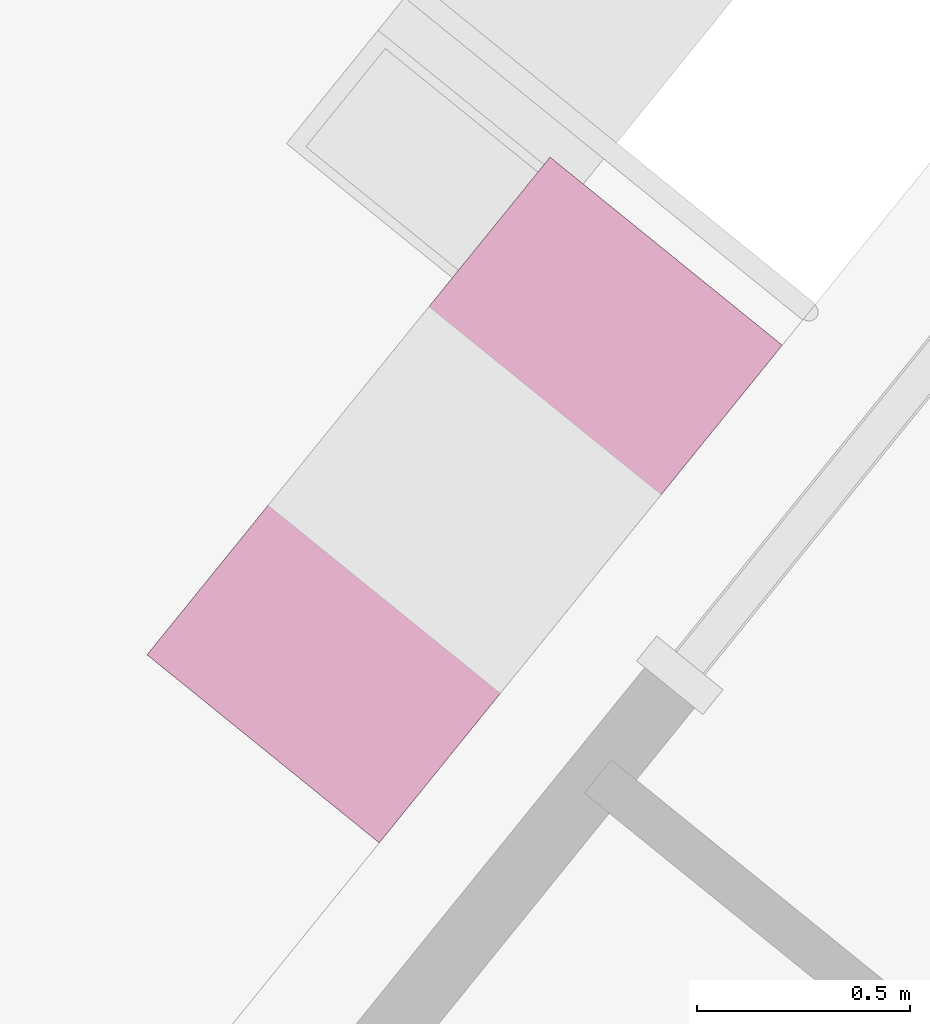
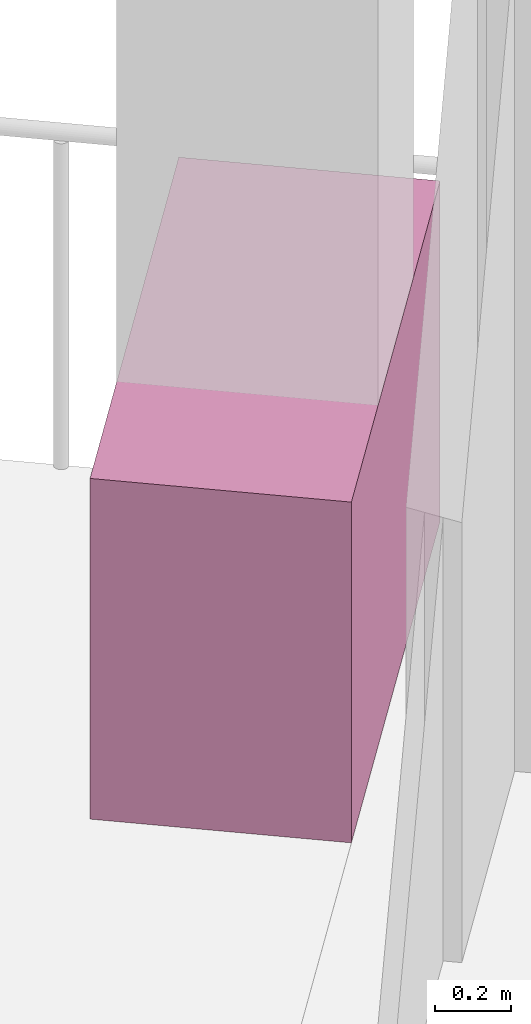
# One storey, part 20 of 21: 1 furniture element.
"""IFC4 building model written with IfcOpenShell, lengths in metres."""

import ifcopenshell
import ifcopenshell.guid

model = None  # the IFC model being written
_history = None  # IfcOwnerHistory: only IFC2X3 demands one
_inside = {}  # id of a spatial element -> (the spatial element, [elements in it])
_under = {}  # id of a project, library or spatial element -> (it, [spatial elements below it])
_declared = {}  # id of a project -> (the project, [libraries it declares])
_typed = {}  # id of a type object -> (the type object, [elements of that type])
_made_of = {}  # id of a material, layer set ... -> (it, [elements and type objects made of it])


def new_model(schema):
    """Start an empty IFC model of exactly this schema.

    Asked for "IFC4X3", IfcOpenShell would pick the latest addendum, in which some entities
    have other attributes; the version numbers below select the first issue.
    IFC2X3 requires an IfcOwnerHistory on every rooted entity: one is made here for all.
    """
    global model, _history
    if schema == "IFC4X3":
        model = ifcopenshell.file(schema_version=(4, 3, 0, 0))
    else:
        model = ifcopenshell.file(schema=schema)
    _inside.clear()
    _under.clear()
    _declared.clear()
    _typed.clear()
    _made_of.clear()
    _history = None
    if model.schema == "IFC2X3":
        org = make("IfcOrganization", Name="unknown")
        user = make(
            "IfcPersonAndOrganization",
            ThePerson=make("IfcPerson", FamilyName="unknown"),
            TheOrganization=org,
        )
        app = make(
            "IfcApplication",
            ApplicationDeveloper=org,
            Version="unknown",
            ApplicationFullName="unknown",
            ApplicationIdentifier="unknown",
        )
        _history = make(
            "IfcOwnerHistory",
            OwningUser=user,
            OwningApplication=app,
            ChangeAction="ADDED",
            CreationDate=0,
        )
    return model


def make(cls, **values):
    """One entity of the class cls with the attributes given. An attribute that is None is left unset."""
    return model.create_entity(
        cls, **{name: value for name, value in values.items() if value is not None}
    )


def rooted(cls, **values):
    """An entity with a GlobalId (a new one), such as an element, a storey or a relation."""
    return make(cls, GlobalId=ifcopenshell.guid.new(), OwnerHistory=_history, **values)


def si_unit(unit_type, name, prefix=None):
    """IfcSIUnit, for example si_unit("LENGTHUNIT", "METRE", prefix="MILLI")."""
    return make("IfcSIUnit", UnitType=unit_type, Prefix=prefix, Name=name)


def assignment(units):
    """IfcUnitAssignment: the units of a project."""
    return None if units is None else make("IfcUnitAssignment", Units=units)


def point(xyz):
    """IfcCartesianPoint."""
    return None if xyz is None else make("IfcCartesianPoint", Coordinates=xyz)


def direction(xyz):
    """IfcDirection."""
    return None if xyz is None else make("IfcDirection", DirectionRatios=xyz)


def frame(location, z_axis=None, x_axis=None):
    """IfcAxis2Placement3D, a coordinate frame: its origin and axes. An axis left out is left unset."""
    return make(
        "IfcAxis2Placement3D",
        Location=point(location),
        Axis=direction(z_axis),
        RefDirection=direction(x_axis),
    )


def frame_2d(location, x_axis=None):
    """IfcAxis2Placement2D, a coordinate frame in the plane: its origin and x axis."""
    return make(
        "IfcAxis2Placement2D", Location=point(location), RefDirection=direction(x_axis)
    )


def origin():
    """The frame at (0, 0, 0) with its axes left unset."""
    return frame((0.0, 0.0, 0.0))


def origin_2d():
    """The frame at (0, 0) in the plane with its x axis left unset."""
    return frame_2d((0.0, 0.0))


def place(relative_to, where):
    """IfcLocalPlacement: puts the frame where relative to a parent placement (None: the world)."""
    return make(
        "IfcLocalPlacement", PlacementRelTo=relative_to, RelativePlacement=where
    )


def context(
    kind, dimensions, precision=None, world=None, true_north=None, identifier=None
):
    """IfcGeometricRepresentationContext, for example the 3D "Model" context."""
    return make(
        "IfcGeometricRepresentationContext",
        ContextIdentifier=identifier,
        ContextType=kind,
        CoordinateSpaceDimension=dimensions,
        Precision=precision,
        WorldCoordinateSystem=world,
        TrueNorth=true_north,
    )


def subcontext(parent, identifier, kind, view, scale=None):
    """IfcGeometricRepresentationSubContext, for example "Body" below "Model"."""
    return make(
        "IfcGeometricRepresentationSubContext",
        ContextIdentifier=identifier,
        ContextType=kind,
        ParentContext=parent,
        TargetScale=scale,
        TargetView=view,
    )


def project(units=None, contexts=None):
    """IfcProject with its units and contexts."""
    return rooted(
        "IfcProject",
        Name="project",
        RepresentationContexts=contexts,
        UnitsInContext=assignment(units),
    )


def spatial(cls, under=None, at=None, **own):
    """A site, building, storey or space (cls), placed at a placement, below another one or the project."""
    s = rooted(cls, ObjectPlacement=at, **own)
    if under is not None:
        _under.setdefault(under.id(), (under, []))[1].append(s)
    return s


def profile(cls, at=None, kind="AREA", **sizes):
    """A parametric profile (cls). Its sizes go by their IFC names, for example OverallWidth=200.0."""
    return make(cls, ProfileType=kind, Position=at, **sizes)


def rectangle(**sizes):
    """IfcRectangleProfileDef."""
    return profile("IfcRectangleProfileDef", **sizes)


def extrude(swept, where, along, depth):
    """IfcExtrudedAreaSolid: the profile swept, set in the frame where, extruded along a direction by depth."""
    return make(
        "IfcExtrudedAreaSolid",
        SweptArea=swept,
        Position=where,
        ExtrudedDirection=direction(along),
        Depth=depth,
    )


def shape(context_of_items, identifier, shape_type, items):
    """IfcShapeRepresentation: the items that make up one representation, for example the "Body"."""
    return make(
        "IfcShapeRepresentation",
        ContextOfItems=context_of_items,
        RepresentationIdentifier=identifier,
        RepresentationType=shape_type,
        Items=items,
    )


def source(mapping_origin, context_of_items, identifier, shape_type, items):
    """IfcRepresentationMap: a shape defined once, which mapped items show again and again."""
    return make(
        "IfcRepresentationMap",
        MappingOrigin=mapping_origin,
        MappedRepresentation=shape(context_of_items, identifier, shape_type, items),
    )


def transform(
    local_origin,
    x_axis=None,
    y_axis=None,
    z_axis=None,
    scale=None,
    scale2=None,
    scale3=None,
    uniform=True,
):
    """IfcCartesianTransformationOperator3D, or its non-uniform kind. x_axis, y_axis, z_axis: its Axis1, 2, 3."""
    if uniform:
        return make(
            "IfcCartesianTransformationOperator3D",
            Axis1=direction(x_axis),
            Axis2=direction(y_axis),
            LocalOrigin=point(local_origin),
            Scale=scale,
            Axis3=direction(z_axis),
        )
    return make(
        "IfcCartesianTransformationOperator3DnonUniform",
        Axis1=direction(x_axis),
        Axis2=direction(y_axis),
        LocalOrigin=point(local_origin),
        Scale=scale,
        Axis3=direction(z_axis),
        Scale2=scale2,
        Scale3=scale3,
    )


def mapped(mapping_source, mapping_target):
    """IfcMappedItem: shows the shape of a source again, moved by a transform."""
    return make(
        "IfcMappedItem", MappingSource=mapping_source, MappingTarget=mapping_target
    )


def material(Name=None, Category=None):
    """IfcMaterial."""
    return make("IfcMaterial", Name=Name, Category=Category)


def made_of(thing, what):
    """Note that an element or type object is made of a material, layer set ...; save() writes the relation."""
    if what is not None:
        _made_of.setdefault(what.id(), (what, []))[1].append(thing)
    return thing


def type_object(cls, material=None, **own):
    """A type object (cls), such as IfcWallType, which elements share."""
    return made_of(rooted(cls, **own), material)


def element(
    cls,
    number,
    at=None,
    inside=None,
    cuts=None,
    type_object=None,
    material=None,
    context=None,
    identifier="Body",
    shape_type=None,
    held_by="IfcProductDefinitionShape",
    body=None,
    shapes=None,
    **own,
):
    """One element of the class cls, such as IfcWall. Its Tag is "e" and its number.

    at: its placement. inside: the storey or other place that contains it. cuts: it is an
    opening in that element (IfcRelVoidsElement). A single representation is given by context,
    identifier, shape_type and body (its items); several are given by shapes. held_by: the class
    of the entity that holds the representations. save() writes the other relations.
    """
    e = rooted(cls, Tag="e%d" % number, ObjectPlacement=at, **own)
    if body is not None:
        shapes = [shape(context, identifier, shape_type, body)]
    if shapes is not None:
        e.Representation = make(held_by, Representations=shapes)
    if inside is not None:
        _inside.setdefault(inside.id(), (inside, []))[1].append(e)
    if cuts is not None:
        rooted(
            "IfcRelVoidsElement", RelatingBuildingElement=cuts, RelatedOpeningElement=e
        )
    if type_object is not None:
        _typed.setdefault(type_object.id(), (type_object, []))[1].append(e)
    return made_of(e, material)


def aggregate(whole, parts):
    """IfcRelAggregates: a whole, such as a stair, and the parts it consists of."""
    return rooted("IfcRelAggregates", RelatingObject=whole, RelatedObjects=parts)


def save(model, path):
    """Write the relations noted so far, then the file.

    IfcRelAggregates (storeys below a building ...), IfcRelContainedInSpatialStructure (elements
    in a storey), IfcRelDefinesByType, IfcRelAssociatesMaterial and IfcRelDeclares: one each for
    every whole, place, type object, material and project.
    """
    for whole, parts in _under.values():
        aggregate(whole, parts)
    for where, things in _inside.values():
        rooted(
            "IfcRelContainedInSpatialStructure",
            RelatedElements=things,
            RelatingStructure=where,
        )
    for kind, things in _typed.values():
        rooted("IfcRelDefinesByType", RelatedObjects=things, RelatingType=kind)
    for what, things in _made_of.values():
        rooted("IfcRelAssociatesMaterial", RelatedObjects=things, RelatingMaterial=what)
    for by, libraries in _declared.values():
        rooted("IfcRelDeclares", RelatingContext=by, RelatedDefinitions=libraries)
    model.write(path)


model = new_model("IFC4")

# Units and contexts
model_context = context("Model", 3, precision=1e-05, world=origin(), true_north=direction((0.0, 1.0)))
body_context = subcontext(model_context, "Body", "Model", "MODEL_VIEW")
ifc_project = project(units=[si_unit("LENGTHUNIT", "METRE"), si_unit("AREAUNIT", "SQUARE_METRE"), si_unit("VOLUMEUNIT", "CUBIC_METRE"), si_unit("PLANEANGLEUNIT", "RADIAN"), si_unit("MASSUNIT", "GRAM", prefix="KILO")], contexts=[model_context])

# Site, building, storey
site_placement = place(None, origin())
site = spatial("IfcSite", under=ifc_project, at=site_placement, CompositionType="ELEMENT")
building_placement = place(site_placement, origin())
building = spatial("IfcBuilding", under=site, at=building_placement, Name="Triune Harvest Tower", CompositionType="ELEMENT")
storey_placement = place(building_placement, frame((0.0, 0.0, 146.10009765625)))
storey = spatial("IfcBuildingStorey", under=building, at=storey_placement, Name="L37", CompositionType="ELEMENT", Elevation=146.10009765625)

# Furniture
ifc_material = material(Name="Concrete 40 MPa", Category="concrete")
furniture_type = type_object("IfcFurnitureType", Name="PB-1 structural planter", AssemblyPlace="SITE", PredefinedType="USERDEFINED", material=ifc_material)
shared_shape = source(origin(), body_context, "Body", "SweptSolid", [
    extrude(rectangle(XDim=1.5, YDim=0.699951171875, at=origin_2d()), origin(), (0.0, 0.0, 1.0), 1.10009765625),
])
furniture_placement = place(storey_placement, frame((-11.760009765625, 20.43701171875, -0.000244140625), z_axis=(0.0, 0.0, 1.0), x_axis=(-0.629321459087, -0.777145096577, 0.0)))
element("IfcFurniture", 1, at=furniture_placement, inside=storey, type_object=furniture_type, Name="Planter B4-F3 L37.5a", ObjectType="PLANTER", PredefinedType="USERDEFINED", context=body_context, shape_type="MappedRepresentation", body=[
    mapped(shared_shape, transform((0.0, 0.0, 0.0), scale=1.0)),
])

save(model, "model.ifc")
